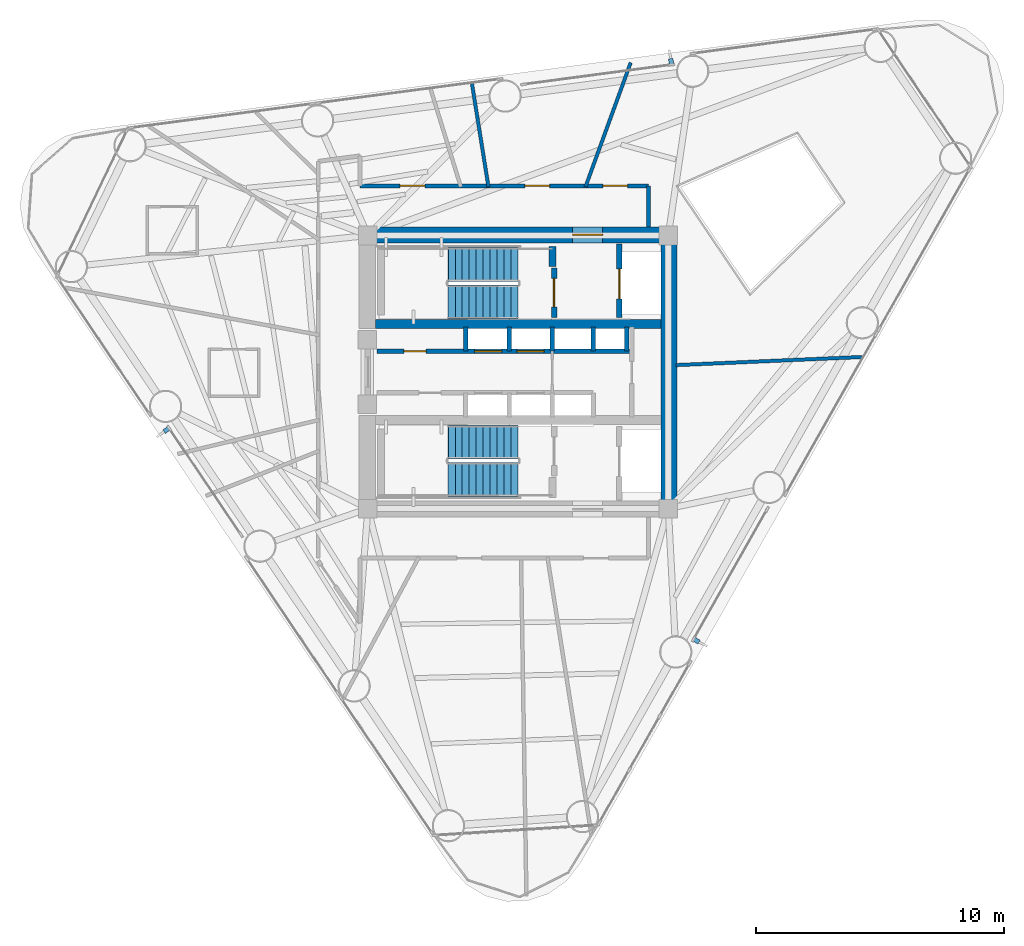
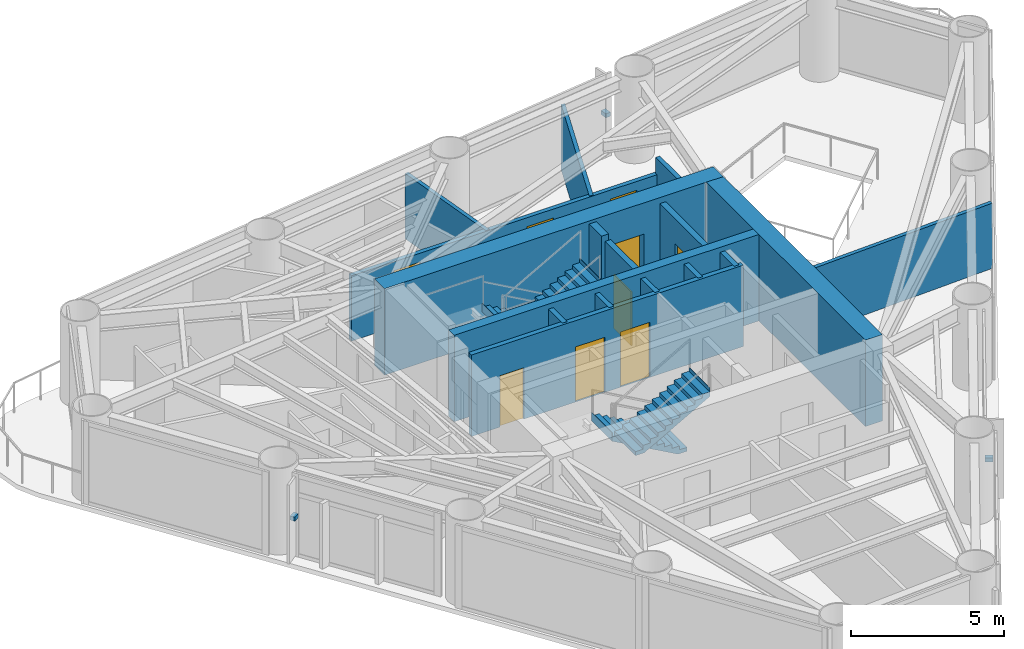
# One storey, part 6 of 9: 17 walls, 9 doors, 4 stair flights, 3 discrete accessories, 9 openings, 2 elements without a shape of their own.
"""IFC4 building model written with IfcOpenShell, lengths in metres."""

from ifc_helpers import new_model, si_unit, direction, frame, frame_2d, origin, origin_2d, place, context, subcontext, project, spatial, polyline, rectangle, outline, extrude, source, transform, mapped, material, layer, layer_set, type_object, element, fill, aggregate, save


model = new_model("IFC4")

# Units and contexts
model_context = context("Model", 3, precision=1e-05, world=origin(), true_north=direction((0.0, 1.0)))
body_context = subcontext(model_context, "Body", "Model", "MODEL_VIEW")
ifc_project = project(units=[si_unit("LENGTHUNIT", "METRE"), si_unit("AREAUNIT", "SQUARE_METRE"), si_unit("VOLUMEUNIT", "CUBIC_METRE"), si_unit("PLANEANGLEUNIT", "RADIAN"), si_unit("MASSUNIT", "GRAM", prefix="KILO")], contexts=[model_context])

# Site, building, storey
site_placement = place(None, origin())
site = spatial("IfcSite", under=ifc_project, at=site_placement, CompositionType="ELEMENT")
building_placement = place(site_placement, origin())
building = spatial("IfcBuilding", under=site, at=building_placement, Name="Yunling Apex Tower", CompositionType="ELEMENT")
storey_placement = place(building_placement, frame((0.0, 0.0, 162.199951171875)))
storey = spatial("IfcBuildingStorey", under=building, at=storey_placement, Name="L39", CompositionType="ELEMENT", Elevation=162.199951171875)

# Wall, opening, door
ifc_material_1 = material(Name="Concrete C50", Category="concrete")
ifc_layer_1 = layer(ifc_material_1, 0.64990234375)
ifc_layer_set_1 = layer_set([ifc_layer_1], Name="Concrete C50")
wall_type_1 = type_object("IfcWallType", Name="WL-COR-2", PredefinedType="SHEAR", material=ifc_layer_set_1)
wall_1_placement = place(storey_placement, frame((-6.39990234375, 5.52490234375, 0.0), z_axis=(0.0, 0.0, 1.0), x_axis=(1.0, 0.0, 0.0)))
wall_1 = element("IfcWall", 1, at=wall_1_placement, inside=storey, type_object=wall_type_1, Name="L39 North Core Shear Wall", PredefinedType="SHEAR", context=body_context, shape_type="SweptSolid", body=[
    extrude(rectangle(XDim=12.7998046875, YDim=0.64990234375, at=frame_2d((6.39990234375, 0.0))), origin(), (0.0, 0.0, 1.0), 3.449951171875),
])
opening_1_placement = place(wall_1_placement, frame((8.60009765625, 0.0, 0.0)))
opening_1 = element("IfcOpeningElement", 2, at=opening_1_placement, cuts=wall_1, Name="Opening DR-FFL-1", PredefinedType="OPENING", context=body_context, shape_type="SweptSolid", body=[
    extrude(rectangle(XDim=1.199951171875, YDim=2.199951171875, at=frame_2d((0.60009765625, 1.10009765625))), frame((0.0, 0.3349609375, 0.0), z_axis=(0.0, -1.0, 0.0), x_axis=(1.0, 0.0, 0.0)), (0.0, 0.0, 1.0), 0.669921875),
])
ifc_material_2 = material(Name="Steel Q355B", Category="steel")
door_type_1 = type_object("IfcDoorType", Name="DR-FFL-1", OperationType="NOTDEFINED", PredefinedType="DOOR", material=ifc_material_2)
door_1_placement = place(opening_1_placement, origin())
door_1 = element("IfcDoor", 3, at=door_1_placement, inside=storey, type_object=door_type_1, Name="L39 North Firefighting Lobby Door", OperationType="SINGLE_SWING_LEFT", OverallHeight=2.199951171875, OverallWidth=1.199951171875, PredefinedType="DOOR", context=body_context, shape_type="SweptSolid", body=[
    extrude(rectangle(XDim=1.199951171875, YDim=2.199951171875, at=frame_2d((0.60009765625, 1.10009765625))), frame((0.0, 0.02490234375, 0.0), z_axis=(0.0, -1.0, 0.0), x_axis=(1.0, 0.0, 0.0)), (0.0, 0.0, 1.0), 0.050048828125),
])
fill(opening_1, door_1)

# Walls
wall_2_placement = place(storey_placement, frame((6.074951171875, -5.199951171875, 0.0), z_axis=(0.0, 0.0, 1.0), x_axis=(0.0, 1.0, 0.0)))
element("IfcWall", 4, at=wall_2_placement, inside=storey, type_object=wall_type_1, Name="L39 East Core Shear Wall", PredefinedType="SHEAR", context=body_context, shape_type="SweptSolid", body=[
    extrude(rectangle(XDim=10.39990234375, YDim=0.64990234375, at=frame_2d((5.199951171875, 0.0))), origin(), (0.0, 0.0, 1.0), 3.449951171875),
])
ifc_material_3 = material(Name="Concrete C40", Category="concrete")
ifc_layer_2 = layer(ifc_material_3, 0.360107421875)
ifc_layer_set_2 = layer_set([ifc_layer_2], Name="Concrete C40")
wall_type_2 = type_object("IfcWallType", Name="WL-COR-4", PredefinedType="SHEAR", material=ifc_layer_set_2)
wall_3_placement = place(storey_placement, frame((-5.75, 1.93994140625, 0.0), z_axis=(0.0, 0.0, 1.0), x_axis=(1.0, 0.0, 0.0)))
element("IfcWall", 5, at=wall_3_placement, inside=storey, type_object=wall_type_2, Name="L39 North Internal Core Shear Wall", PredefinedType="SHEAR", context=body_context, shape_type="SweptSolid", body=[
    extrude(rectangle(XDim=11.5, YDim=0.360107421875, at=frame_2d((5.75, 0.0))), origin(), (0.0, 0.0, 1.0), 3.449951171875),
])
ifc_layer_3 = layer(ifc_material_3, 0.280029296875)
ifc_layer_set_3 = layer_set([ifc_layer_3], Name="Concrete C40")
wall_type_3 = type_object("IfcWallType", Name="WL-COR-8", PredefinedType="SHEAR", material=ifc_layer_set_3)
wall_4_placement = place(storey_placement, frame((1.3798828125, 4.25, 0.0), z_axis=(0.0, 0.0, 1.0), x_axis=(0.0, 1.0, 0.0)))
element("IfcWall", 6, at=wall_4_placement, inside=storey, type_object=wall_type_3, Name="L39 ST-1 East Landing Bearing Pier", PredefinedType="SHEAR", context=body_context, shape_type="SweptSolid", body=[
    extrude(rectangle(XDim=0.800048828125, YDim=0.280029296875, at=frame_2d((0.39990234375, 0.0))), origin(), (0.0, 0.0, 1.0), 3.449951171875),
])

# Wall, openings, doors
ifc_material_4 = material(Name="Gypsum board acoustic partition")
ifc_layer_4 = layer(ifc_material_4, 0.159912109375)
ifc_layer_set_4 = layer_set([ifc_layer_4], Name="Gypsum board acoustic partition")
wall_type_4 = type_object("IfcWallType", Name="WL-PRT-1", PredefinedType="PARTITIONING", material=ifc_layer_set_4)
wall_5_placement = place(storey_placement, frame((-6.360107421875, 7.5, 0.0), z_axis=(0.0, 0.0, 1.0), x_axis=(1.0, 0.0, 0.0)))
wall_5 = element("IfcWall", 7, at=wall_5_placement, inside=storey, type_object=wall_type_4, Name="WL-CORR-L39-06", PredefinedType="PARTITIONING", context=body_context, shape_type="SweptSolid", body=[
    extrude(rectangle(XDim=11.610107421875, YDim=0.159912109375, at=frame_2d((5.80517578125, 0.0))), origin(), (0.0, 0.0, 1.0), 2.60498046875),
])
opening_2_placement = place(wall_5_placement, frame((1.600341796875, 0.0, 0.0)))
opening_2 = element("IfcOpeningElement", 8, at=opening_2_placement, cuts=wall_5, Name="Opening DR-OFF-1", PredefinedType="OPENING", context=body_context, shape_type="SweptSolid", body=[
    extrude(rectangle(XDim=1.0, YDim=2.25, at=frame_2d((0.5, 1.125))), frame((0.0, 0.08984375, 0.0), z_axis=(0.0, -1.0, 0.0), x_axis=(1.0, 0.0, 0.0)), (0.0, 0.0, 1.0), 0.179931640625),
])
opening_3_placement = place(wall_5_placement, frame((6.63134765625, 0.0, 0.0)))
opening_3 = element("IfcOpeningElement", 9, at=opening_3_placement, cuts=wall_5, Name="Opening DR-OFF-1", PredefinedType="OPENING", context=body_context, shape_type="SweptSolid", body=[
    extrude(rectangle(XDim=1.0, YDim=2.25, at=frame_2d((0.5, 1.125))), frame((0.0, 0.08984375, 0.0), z_axis=(0.0, -1.0, 0.0), x_axis=(1.0, 0.0, 0.0)), (0.0, 0.0, 1.0), 0.179931640625),
])
opening_4_placement = place(wall_5_placement, frame((9.77294921875, 0.0, 0.0)))
opening_4 = element("IfcOpeningElement", 10, at=opening_4_placement, cuts=wall_5, Name="Opening DR-OFF-1", PredefinedType="OPENING", context=body_context, shape_type="SweptSolid", body=[
    extrude(rectangle(XDim=1.0, YDim=2.25, at=frame_2d((0.5, 1.125))), frame((0.0, 0.08984375, 0.0), z_axis=(0.0, -1.0, 0.0), x_axis=(1.0, 0.0, 0.0)), (0.0, 0.0, 1.0), 0.179931640625),
])
ifc_material_5 = material(Name="Bronze anodised aluminium", Category="aluminium")
door_type_2 = type_object("IfcDoorType", Name="DR-OFF-1", OperationType="NOTDEFINED", PredefinedType="DOOR", material=ifc_material_5)
door_2_placement = place(opening_2_placement, origin())
door_2 = element("IfcDoor", 11, at=door_2_placement, inside=storey, type_object=door_type_2, Name="L39 Club Lounge Door", OperationType="SINGLE_SWING_LEFT", OverallHeight=2.25, OverallWidth=1.0, PredefinedType="DOOR", context=body_context, shape_type="SweptSolid", body=[
    extrude(rectangle(XDim=1.0, YDim=2.25, at=frame_2d((0.5, 1.125))), frame((0.0, 0.02490234375, 0.0), z_axis=(0.0, -1.0, 0.0), x_axis=(1.0, 0.0, 0.0)), (0.0, 0.0, 1.0), 0.050048828125),
])
fill(opening_2, door_2)
door_3_placement = place(opening_3_placement, origin())
door_3 = element("IfcDoor", 12, at=door_3_placement, inside=storey, type_object=door_type_2, Name="L39 Club Lounge Door", OperationType="SINGLE_SWING_RIGHT", OverallHeight=2.25, OverallWidth=1.0, PredefinedType="DOOR", context=body_context, shape_type="SweptSolid", body=[
    extrude(rectangle(XDim=1.0, YDim=2.25, at=frame_2d((0.5, 1.125))), frame((0.0, 0.02490234375, 0.0), z_axis=(0.0, -1.0, 0.0), x_axis=(1.0, 0.0, 0.0)), (0.0, 0.0, 1.0), 0.050048828125),
])
fill(opening_3, door_3)
door_4_placement = place(opening_4_placement, origin())
door_4 = element("IfcDoor", 13, at=door_4_placement, inside=storey, type_object=door_type_2, Name="L39 Club Lounge Door", OperationType="SINGLE_SWING_LEFT", OverallHeight=2.25, OverallWidth=1.0, PredefinedType="DOOR", context=body_context, shape_type="SweptSolid", body=[
    extrude(rectangle(XDim=1.0, YDim=2.25, at=frame_2d((0.5, 1.125))), frame((0.0, 0.02490234375, 0.0), z_axis=(0.0, -1.0, 0.0), x_axis=(1.0, 0.0, 0.0)), (0.0, 0.0, 1.0), 0.050048828125),
])
fill(opening_4, door_4)

# Walls
wall_6_placement = place(storey_placement, frame((5.25, 7.5, 0.0), z_axis=(0.0, 0.0, 1.0), x_axis=(0.0, -1.0, 0.0)))
element("IfcWall", 14, at=wall_6_placement, inside=storey, type_object=wall_type_4, Name="WL-CORR-L39-07", PredefinedType="PARTITIONING", context=body_context, shape_type="SweptSolid", body=[
    extrude(rectangle(XDim=1.64990234375, YDim=0.159912109375, at=frame_2d((0.824951171875, 0.0))), origin(), (0.0, 0.0, 1.0), 3.25),
])
ifc_layer_5 = layer(ifc_material_4, 0.139892578125)
ifc_layer_set_5 = layer_set([ifc_layer_5], Name="Gypsum board acoustic partition")
wall_type_5 = type_object("IfcWallType", Name="WL-PRT-2", PredefinedType="PARTITIONING", material=ifc_layer_set_5)
wall_7_placement = place(storey_placement, frame((6.360107421875, 0.277587890625, 0.0), z_axis=(0.0, 0.0, 1.0), x_axis=(0.999047543566, 0.043634913719, 0.0)))
element("IfcWall", 15, at=wall_7_placement, inside=storey, type_object=wall_type_5, Name="WL-RAD-L39-01", PredefinedType="PARTITIONING", context=body_context, shape_type="SweptSolid", body=[
    extrude(rectangle(XDim=7.5029296875, YDim=0.139892578125, at=frame_2d((3.75146484375, 0.0))), origin(), (0.0, 0.0, 1.0), 2.60498046875),
])
wall_8_placement = place(storey_placement, frame((2.715087890625, 7.4599609375, 0.0), z_axis=(0.0, 0.0, 1.0), x_axis=(0.342045165819, 0.939683512966, 0.0)))
element("IfcWall", 16, at=wall_8_placement, inside=storey, type_object=wall_type_5, Name="WL-RAD-L39-02", PredefinedType="PARTITIONING", context=body_context, shape_type="SweptSolid", body=[
    extrude(rectangle(XDim=5.3203125, YDim=0.139892578125, at=frame_2d((2.66015625, 0.0))), origin(), (0.0, 0.0, 1.0), 2.60498046875),
])
wall_9_placement = place(storey_placement, frame((-1.193603515625, 7.4599609375, 0.0), z_axis=(0.0, 0.0, 1.0), x_axis=(-0.157995028697, 0.987439907492, 0.0)))
element("IfcWall", 17, at=wall_9_placement, inside=storey, type_object=wall_type_5, Name="WL-RAD-L39-03", PredefinedType="PARTITIONING", context=body_context, shape_type="SweptSolid", body=[
    extrude(rectangle(XDim=4.2060546875, YDim=0.139892578125, at=frame_2d((2.10302734375, 0.0))), origin(), (0.0, 0.0, 1.0), 2.60498046875),
])

# Wall, opening, door
ifc_material_6 = material(Name="Autoclaved aerated concrete masonry", Category="masonry")
ifc_layer_6 = layer(ifc_material_6, 0.219970703125)
ifc_layer_set_6 = layer_set([ifc_layer_6], Name="Autoclaved aerated concrete masonry")
wall_type_6 = type_object("IfcWallType", Name="WL-SHF-1", PredefinedType="PLUMBINGWALL", material=ifc_layer_set_6)
wall_10_placement = place(storey_placement, frame((1.449951171875, 2.199951171875, 0.0), z_axis=(0.0, 0.0, 1.0), x_axis=(0.0, 1.0, 0.0)))
wall_10 = element("IfcWall", 18, at=wall_10_placement, inside=storey, type_object=wall_type_6, Name="WL-ST1-E-L39", PredefinedType="PLUMBINGWALL", context=body_context, shape_type="SweptSolid", body=[
    extrude(rectangle(XDim=1.97998046875, YDim=0.219970703125, at=frame_2d((0.989990234375, 0.0))), origin(), (0.0, 0.0, 1.0), 3.25),
])
opening_5_placement = place(wall_10_placement, frame((0.419921875, 0.0, 0.0)))
opening_5 = element("IfcOpeningElement", 19, at=opening_5_placement, cuts=wall_10, Name="Opening DR-ST-1", PredefinedType="OPENING", context=body_context, shape_type="SweptSolid", body=[
    extrude(rectangle(XDim=1.14990234375, YDim=2.14990234375, at=frame_2d((0.574951171875, 1.074951171875))), frame((0.0, 0.1201171875, 0.0), z_axis=(0.0, -1.0, 0.0), x_axis=(1.0, 0.0, 0.0)), (0.0, 0.0, 1.0), 0.239990234375),
])
door_type_3 = type_object("IfcDoorType", Name="DR-ST-1", OperationType="NOTDEFINED", PredefinedType="DOOR", material=ifc_material_2)
door_5_placement = place(opening_5_placement, origin())
door_5 = element("IfcDoor", 20, at=door_5_placement, inside=storey, type_object=door_type_3, Name="L39 Stair ST-1 Fire Door", OperationType="SINGLE_SWING_LEFT", OverallHeight=2.14990234375, OverallWidth=1.14990234375, PredefinedType="DOOR", context=body_context, shape_type="SweptSolid", body=[
    extrude(rectangle(XDim=1.14990234375, YDim=2.14990234375, at=frame_2d((0.574951171875, 1.074951171875))), frame((0.0, 0.02490234375, 0.0), z_axis=(0.0, -1.0, 0.0), x_axis=(1.0, 0.0, 0.0)), (0.0, 0.0, 1.0), 0.050048828125),
])
fill(opening_5, door_5)

wall_11_placement = place(storey_placement, frame((4.080078125, 2.199951171875, 0.0), z_axis=(0.0, 0.0, 1.0), x_axis=(0.0, 1.0, 0.0)))
wall_11 = element("IfcWall", 21, at=wall_11_placement, inside=storey, type_object=wall_type_6, Name="WL-FFL1-W-L39", PredefinedType="PLUMBINGWALL", context=body_context, shape_type="SweptSolid", body=[
    extrude(rectangle(XDim=2.949951171875, YDim=0.219970703125, at=frame_2d((1.47509765625, 0.0))), origin(), (0.0, 0.0, 1.0), 3.25),
])
opening_6_placement = place(wall_11_placement, frame((0.75, 0.0, 0.0)))
opening_6 = element("IfcOpeningElement", 22, at=opening_6_placement, cuts=wall_11, Name="Opening LD-FFL-1", PredefinedType="OPENING", context=body_context, shape_type="SweptSolid", body=[
    extrude(rectangle(XDim=1.199951171875, YDim=2.25, at=frame_2d((0.60009765625, 1.125))), frame((0.0, 0.1201171875, 0.0), z_axis=(0.0, -1.0, 0.0), x_axis=(1.0, 0.0, 0.0)), (0.0, 0.0, 1.0), 0.239990234375),
])
door_type_4 = type_object("IfcDoorType", Name="LD-FFL-1", OperationType="DOUBLE_DOOR_SLIDING", PredefinedType="DOOR", material=ifc_material_2)
door_6_placement = place(opening_6_placement, origin())
door_6 = element("IfcDoor", 23, at=door_6_placement, inside=storey, type_object=door_type_4, Name="L39 Lift FFL-1 Landing Door", OperationType="DOUBLE_DOOR_SLIDING", OverallHeight=2.25, OverallWidth=1.199951171875, PredefinedType="DOOR", context=body_context, shape_type="SweptSolid", body=[
    extrude(rectangle(XDim=1.199951171875, YDim=2.25, at=frame_2d((0.60009765625, 1.125))), frame((0.0, 0.02490234375, 0.0), z_axis=(0.0, -1.0, 0.0), x_axis=(1.0, 0.0, 0.0)), (0.0, 0.0, 1.0), 0.050048828125),
])
fill(opening_6, door_6)

# Walls
ifc_layer_7 = layer(ifc_material_6, 0.179931640625)
ifc_layer_set_7 = layer_set([ifc_layer_7], Name="Autoclaved aerated concrete masonry")
wall_type_7 = type_object("IfcWallType", Name="WL-SHF-2", PredefinedType="PLUMBINGWALL", material=ifc_layer_set_7)
for number, where, z_axis, x_axis, name in (
    (24, (-2.10009765625, 0.840087890625, 0.0), (0.0, 0.0, 1.0), (0.0, 1.0, 0.0), "WL-BNK-LM-N-L39"),
    (25, (-0.35009765625, 0.840087890625, 0.0), (0.0, 0.0, 1.0), (0.0, 1.0, 0.0), "WL-DIV-M12-L39"),
    (26, (1.3798828125, 0.840087890625, 0.0), (0.0, 0.0, 1.0), (0.0, 1.0, 0.0), "WL-BNK-MH-N-L39"),
    (27, (3.02001953125, 0.840087890625, 0.0), (0.0, 0.0, 1.0), (0.0, 1.0, 0.0), "WL-DIV-H13-L39"),
    (28, (4.3798828125, 0.840087890625, 0.0), (0.0, 0.0, 1.0), (0.0, 1.0, 0.0), "WL-END-H3E-L39"),
):
    element("IfcWall", number, at=place(storey_placement, frame(where, z_axis=z_axis, x_axis=x_axis)), inside=storey, type_object=wall_type_7, Name=name, PredefinedType="PLUMBINGWALL", context=body_context, shape_type="SweptSolid", body=[
        extrude(rectangle(XDim=0.97998046875, YDim=0.179931640625, at=frame_2d((0.489990234375, 0.0))), origin(), (0.0, 0.0, 1.0), 3.25),
    ])

# Wall, openings, doors
wall_12_placement = place(storey_placement, frame((-5.679931640625, 0.840087890625, 0.0), z_axis=(0.0, 0.0, 1.0), x_axis=(1.0, 0.0, 0.0)))
wall_12 = element("IfcWall", 29, at=wall_12_placement, inside=storey, type_object=wall_type_7, Name="WL-LOB-N-L39", PredefinedType="PLUMBINGWALL", context=body_context, shape_type="SweptSolid", body=[
    extrude(rectangle(XDim=10.260009765625, YDim=0.179931640625, at=frame_2d((5.1298828125, 0.0))), origin(), (0.0, 0.0, 1.0), 3.25),
])
opening_7_placement = place(wall_12_placement, frame((1.080078125, 0.0, 0.0)))
opening_7 = element("IfcOpeningElement", 30, at=opening_7_placement, cuts=wall_12, Name="Opening DR-SHF-1", PredefinedType="OPENING", context=body_context, shape_type="SweptSolid", body=[
    extrude(rectangle(XDim=0.89990234375, YDim=2.050048828125, at=frame_2d((0.449951171875, 1.02490234375))), frame((0.0, 0.10009765625, 0.0), z_axis=(0.0, -1.0, 0.0), x_axis=(1.0, 0.0, 0.0)), (0.0, 0.0, 1.0), 0.199951171875),
])
opening_8_placement = place(wall_12_placement, frame((3.929931640625, 0.0, 0.0)))
opening_8 = element("IfcOpeningElement", 31, at=opening_8_placement, cuts=wall_12, Name="Opening LD-PAS-1", PredefinedType="OPENING", context=body_context, shape_type="SweptSolid", body=[
    extrude(rectangle(XDim=1.10009765625, YDim=2.199951171875, at=frame_2d((0.550048828125, 1.10009765625))), frame((0.0, 0.10009765625, 0.0), z_axis=(0.0, -1.0, 0.0), x_axis=(1.0, 0.0, 0.0)), (0.0, 0.0, 1.0), 0.199951171875),
])
opening_9_placement = place(wall_12_placement, frame((5.6298828125, 0.0, 0.0)))
opening_9 = element("IfcOpeningElement", 32, at=opening_9_placement, cuts=wall_12, Name="Opening LD-PAS-1", PredefinedType="OPENING", context=body_context, shape_type="SweptSolid", body=[
    extrude(rectangle(XDim=1.10009765625, YDim=2.199951171875, at=frame_2d((0.550048828125, 1.10009765625))), frame((0.0, 0.10009765625, 0.0), z_axis=(0.0, -1.0, 0.0), x_axis=(1.0, 0.0, 0.0)), (0.0, 0.0, 1.0), 0.199951171875),
])
door_type_5 = type_object("IfcDoorType", Name="DR-SHF-1", OperationType="NOTDEFINED", PredefinedType="DOOR", material=ifc_material_2)
door_7_placement = place(opening_7_placement, origin())
door_7 = element("IfcDoor", 33, at=door_7_placement, inside=storey, type_object=door_type_5, Name="L39 BMS Plant Door", OperationType="SINGLE_SWING_LEFT", OverallHeight=2.050048828125, OverallWidth=0.89990234375, PredefinedType="DOOR", context=body_context, shape_type="SweptSolid", body=[
    extrude(rectangle(XDim=0.89990234375, YDim=2.050048828125, at=frame_2d((0.449951171875, 1.02490234375))), frame((0.0, 0.02490234375, 0.0), z_axis=(0.0, -1.0, 0.0), x_axis=(1.0, 0.0, 0.0)), (0.0, 0.0, 1.0), 0.050048828125),
])
fill(opening_7, door_7)
ifc_material_7 = material(Name="Silver anodised aluminium", Category="aluminium")
door_type_6 = type_object("IfcDoorType", Name="LD-PAS-1", OperationType="DOUBLE_DOOR_SLIDING", PredefinedType="DOOR", material=ifc_material_7)
door_8_placement = place(opening_8_placement, origin())
door_8 = element("IfcDoor", 34, at=door_8_placement, inside=storey, type_object=door_type_6, Name="L39 Lift PL-M1 Landing Door", OperationType="DOUBLE_DOOR_SLIDING", OverallHeight=2.199951171875, OverallWidth=1.10009765625, PredefinedType="DOOR", context=body_context, shape_type="SweptSolid", body=[
    extrude(rectangle(XDim=1.10009765625, YDim=2.199951171875, at=frame_2d((0.550048828125, 1.10009765625))), frame((0.0, 0.02490234375, 0.0), z_axis=(0.0, -1.0, 0.0), x_axis=(1.0, 0.0, 0.0)), (0.0, 0.0, 1.0), 0.050048828125),
])
fill(opening_8, door_8)
door_9_placement = place(opening_9_placement, origin())
door_9 = element("IfcDoor", 35, at=door_9_placement, inside=storey, type_object=door_type_6, Name="L39 Lift PL-M2 Landing Door", OperationType="DOUBLE_DOOR_SLIDING", OverallHeight=2.199951171875, OverallWidth=1.10009765625, PredefinedType="DOOR", context=body_context, shape_type="SweptSolid", body=[
    extrude(rectangle(XDim=1.10009765625, YDim=2.199951171875, at=frame_2d((0.550048828125, 1.10009765625))), frame((0.0, 0.02490234375, 0.0), z_axis=(0.0, -1.0, 0.0), x_axis=(1.0, 0.0, 0.0)), (0.0, 0.0, 1.0), 0.050048828125),
])
fill(opening_9, door_9)

# Stair, stair flights
stair_type = type_object("IfcStairType", Name="ST-TWR-2", PredefinedType="HALF_TURN_STAIR", material=ifc_material_3)
stair_1_placement = place(storey_placement, origin())
stair_1 = element("IfcStair", 36, at=stair_1_placement, inside=storey, type_object=stair_type, Name="L39 North Core Smokeproof Exit Stair ST-1", PredefinedType="HALF_TURN_STAIR")
stair_flight_type = type_object("IfcStairFlightType", Name="SFL-TWR-2", PredefinedType="STRAIGHT", material=ifc_material_3)
stair_flight_1_placement = place(storey_placement, frame((-0.010009765625, 4.330078125, 0.0), z_axis=(0.0, 0.0, 1.0), x_axis=(-1.0, 0.0, 0.0)))
stair_flight_1 = element("IfcStairFlight", 37, at=stair_flight_1_placement, type_object=stair_flight_type, Name="ST-1 flight 1", NumberOfRisers=11, NumberOfTreads=10, PredefinedType="STRAIGHT", RiserHeight=0.156818182, TreadLength=0.28, context=body_context, shape_type="SweptSolid", body=[
    extrude(outline(polyline([(-0.011962890625, 0.0), (-0.011962890625, 0.15673828125), (0.0, 0.15673828125), (0.280029296875, 0.15673828125), (0.280029296875, 0.313720703125), (0.56005859375, 0.313720703125), (0.56005859375, 0.470458984375), (0.840087890625, 0.470458984375), (0.840087890625, 0.627197265625), (1.1201171875, 0.627197265625), (1.1201171875, 0.7841796875), (1.39990234375, 0.7841796875), (1.39990234375, 0.94091796875), (1.679931640625, 0.94091796875), (1.679931640625, 1.09765625), (1.9599609375, 1.09765625), (1.9599609375, 1.254638671875), (2.239990234375, 1.254638671875), (2.239990234375, 1.411376953125), (2.52001953125, 1.411376953125), (2.52001953125, 1.568115234375), (2.800048828125, 1.568115234375), (2.800048828125, 1.72509765625), (2.81201171875, 1.72509765625), (2.81201171875, 1.385009765625), (0.3271484375, 0.0), (-0.011962890625, 0.0)])), frame((0.0, 0.68017578125, 0.0), z_axis=(0.0, -1.0, 0.0), x_axis=(1.0, 0.0, 0.0)), (0.0, 0.0, 1.0), 1.360107421875),
])
stair_flight_2_placement = place(storey_placement, frame((-2.81005859375, 2.820068359375, 1.72509765625), z_axis=(0.0, 0.0, 1.0), x_axis=(1.0, 0.0, 0.0)))
stair_flight_2 = element("IfcStairFlight", 38, at=stair_flight_2_placement, type_object=stair_flight_type, Name="ST-1 flight 2", NumberOfRisers=11, NumberOfTreads=10, PredefinedType="STRAIGHT", RiserHeight=0.156818182, TreadLength=0.28, context=body_context, shape_type="SweptSolid", body=[
    extrude(outline(polyline([(-0.011962890625, 0.0), (-0.011962890625, 0.15673828125), (0.0, 0.15673828125), (0.280029296875, 0.15673828125), (0.280029296875, 0.313720703125), (0.56005859375, 0.313720703125), (0.56005859375, 0.470458984375), (0.840087890625, 0.470458984375), (0.840087890625, 0.627197265625), (1.1201171875, 0.627197265625), (1.1201171875, 0.7841796875), (1.39990234375, 0.7841796875), (1.39990234375, 0.94091796875), (1.679931640625, 0.94091796875), (1.679931640625, 1.09765625), (1.9599609375, 1.09765625), (1.9599609375, 1.254638671875), (2.239990234375, 1.254638671875), (2.239990234375, 1.411376953125), (2.52001953125, 1.411376953125), (2.52001953125, 1.568115234375), (2.800048828125, 1.568115234375), (2.800048828125, 1.72509765625), (2.81201171875, 1.72509765625), (2.81201171875, 1.385009765625), (0.3271484375, 0.0), (-0.011962890625, 0.0)])), frame((0.0, 0.68017578125, 0.0), z_axis=(0.0, -1.0, 0.0), x_axis=(1.0, 0.0, 0.0)), (0.0, 0.0, 1.0), 1.360107421875),
])
aggregate(stair_1, [stair_flight_1, stair_flight_2])

stair_2_placement = place(storey_placement, origin())
stair_2 = element("IfcStair", 39, at=stair_2_placement, inside=storey, type_object=stair_type, Name="L39 South Core Smokeproof Exit Stair ST-2", PredefinedType="HALF_TURN_STAIR")
stair_flight_3_placement = place(storey_placement, frame((-0.010009765625, -2.820068359375, 0.0), z_axis=(0.0, 0.0, 1.0), x_axis=(-1.0, 0.0, 0.0)))
stair_flight_3 = element("IfcStairFlight", 40, at=stair_flight_3_placement, type_object=stair_flight_type, Name="ST-2 flight 1", NumberOfRisers=11, NumberOfTreads=10, PredefinedType="STRAIGHT", RiserHeight=0.156818182, TreadLength=0.28, context=body_context, shape_type="SweptSolid", body=[
    extrude(outline(polyline([(-0.011962890625, 0.0), (-0.011962890625, 0.15673828125), (0.0, 0.15673828125), (0.280029296875, 0.15673828125), (0.280029296875, 0.313720703125), (0.56005859375, 0.313720703125), (0.56005859375, 0.470458984375), (0.840087890625, 0.470458984375), (0.840087890625, 0.627197265625), (1.1201171875, 0.627197265625), (1.1201171875, 0.7841796875), (1.39990234375, 0.7841796875), (1.39990234375, 0.94091796875), (1.679931640625, 0.94091796875), (1.679931640625, 1.09765625), (1.9599609375, 1.09765625), (1.9599609375, 1.254638671875), (2.239990234375, 1.254638671875), (2.239990234375, 1.411376953125), (2.52001953125, 1.411376953125), (2.52001953125, 1.568115234375), (2.800048828125, 1.568115234375), (2.800048828125, 1.72509765625), (2.81201171875, 1.72509765625), (2.81201171875, 1.385009765625), (0.3271484375, 0.0), (-0.011962890625, 0.0)])), frame((0.0, 0.68017578125, 0.0), z_axis=(0.0, -1.0, 0.0), x_axis=(1.0, 0.0, 0.0)), (0.0, 0.0, 1.0), 1.360107421875),
])
stair_flight_4_placement = place(storey_placement, frame((-2.81005859375, -4.330078125, 1.72509765625), z_axis=(0.0, 0.0, 1.0), x_axis=(1.0, 0.0, 0.0)))
stair_flight_4 = element("IfcStairFlight", 41, at=stair_flight_4_placement, type_object=stair_flight_type, Name="ST-2 flight 2", NumberOfRisers=11, NumberOfTreads=10, PredefinedType="STRAIGHT", RiserHeight=0.156818182, TreadLength=0.28, context=body_context, shape_type="SweptSolid", body=[
    extrude(outline(polyline([(-0.011962890625, 0.0), (-0.011962890625, 0.15673828125), (0.0, 0.15673828125), (0.280029296875, 0.15673828125), (0.280029296875, 0.313720703125), (0.56005859375, 0.313720703125), (0.56005859375, 0.470458984375), (0.840087890625, 0.470458984375), (0.840087890625, 0.627197265625), (1.1201171875, 0.627197265625), (1.1201171875, 0.7841796875), (1.39990234375, 0.7841796875), (1.39990234375, 0.94091796875), (1.679931640625, 0.94091796875), (1.679931640625, 1.09765625), (1.9599609375, 1.09765625), (1.9599609375, 1.254638671875), (2.239990234375, 1.254638671875), (2.239990234375, 1.411376953125), (2.52001953125, 1.411376953125), (2.52001953125, 1.568115234375), (2.800048828125, 1.568115234375), (2.800048828125, 1.72509765625), (2.81201171875, 1.72509765625), (2.81201171875, 1.385009765625), (0.3271484375, 0.0), (-0.011962890625, 0.0)])), frame((0.0, 0.68017578125, 0.0), z_axis=(0.0, -1.0, 0.0), x_axis=(1.0, 0.0, 0.0)), (0.0, 0.0, 1.0), 1.360107421875),
])
aggregate(stair_2, [stair_flight_3, stair_flight_4])

# Discrete accessories
discrete_accessory_type = type_object("IfcDiscreteAccessoryType", Name="BK-FIN-1", PredefinedType="BRACKET", material=ifc_material_2)
shared_shape = source(origin(), body_context, "Body", "SweptSolid", [
    extrude(rectangle(XDim=0.179931640625, YDim=0.260009765625, at=origin_2d()), origin(), (0.0, 0.0, 1.0), 0.159912109375),
])
for number, where, z_axis, x_axis, name in (
    (42, (7.177490234375, -10.814697265625, 1.55517578125), (0.0, 0.0, 1.0), (0.493031062956, 0.87001170737, 0.0), "CW-L39-F1-B2-BRK-01-1"),
    (43, (6.164794921875, 12.493408203125, 1.55517578125), (0.0, 0.0, 1.0), (-0.9913534953, -0.131218319443, 0.0), "CW-L39-F2-B2-BRK-01-1"),
    (44, (-14.15087890625, -2.33056640625, 1.55517578125), (0.0, 0.0, 1.0), (0.559192903471, -0.829037572555, 0.0), "CW-L39-F3-B2-BRK-01-1"),
):
    element("IfcDiscreteAccessory", number, at=place(storey_placement, frame(where, z_axis=z_axis, x_axis=x_axis)), inside=storey, type_object=discrete_accessory_type, Name=name, PredefinedType="BRACKET", context=body_context, shape_type="MappedRepresentation", body=[
        mapped(shared_shape, transform((0.0, 0.0, 0.0), scale=1.0)),
    ])

save(model, "model.ifc")
